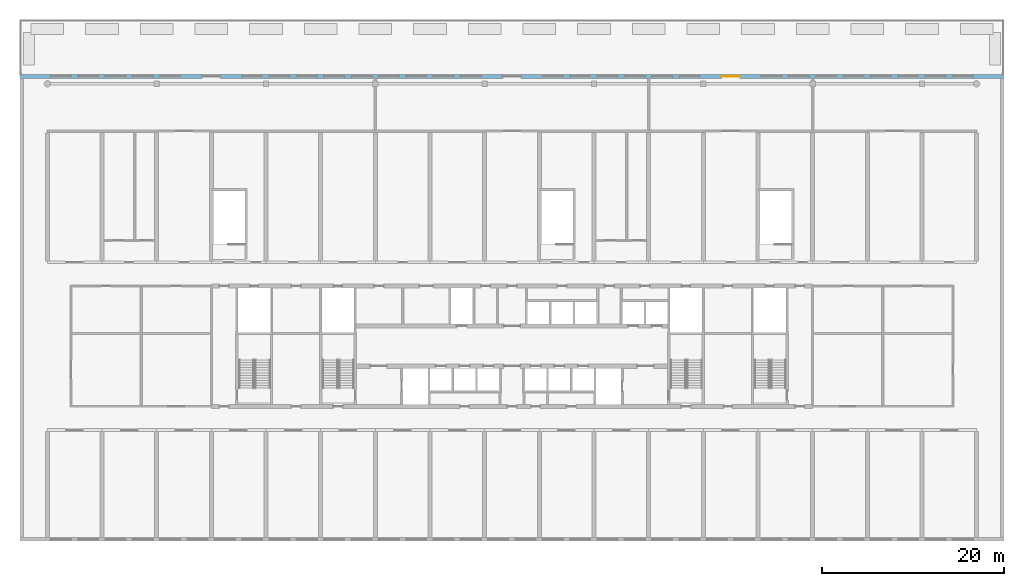
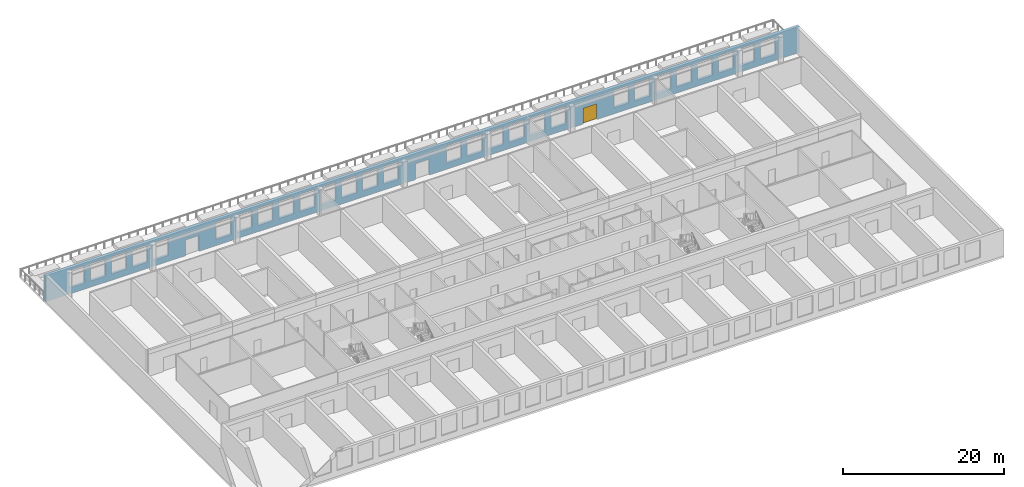
# One storey, part 9 of 15: 1 door, 31 openings, plus 1 element that does not belong to this part.
"""IFC4 building model written with IfcOpenShell, lengths in metres."""

from ifc_helpers import new_model, si_unit, direction, frame, frame_2d, origin, place, context, subcontext, project, spatial, rectangle, extrude, material, layer, layer_set, type_object, element, fill, save


model = new_model("IFC4")

# Units and contexts
model_context = context("Model", 3, precision=1e-05, world=origin(), true_north=direction((0.0, 1.0)))
body_context = subcontext(model_context, "Body", "Model", "MODEL_VIEW")
ifc_project = project(units=[si_unit("LENGTHUNIT", "METRE"), si_unit("AREAUNIT", "SQUARE_METRE"), si_unit("VOLUMEUNIT", "CUBIC_METRE"), si_unit("PLANEANGLEUNIT", "RADIAN"), si_unit("MASSUNIT", "GRAM", prefix="KILO")], contexts=[model_context])

# Site, building, storey
site_placement = place(None, origin())
site = spatial("IfcSite", under=ifc_project, at=site_placement, CompositionType="ELEMENT")
building_placement = place(site_placement, origin())
building = spatial("IfcBuilding", under=site, at=building_placement, Name="Poui Terraces", CompositionType="ELEMENT")
storey_placement = place(building_placement, frame((0.0, 0.0, 19.199951171875)))
storey = spatial("IfcBuildingStorey", under=building, at=storey_placement, Name="L04", CompositionType="ELEMENT", Elevation=19.199951171875)

# Wall, openings, door
ifc_material_1 = material(Name="Precast concrete 40 MPa", Category="concrete")
ifc_layer = layer(ifc_material_1, 0.39990234375)
ifc_layer_set = layer_set([ifc_layer], Name="Precast concrete 40 MPa")
wall_type = type_object("IfcWallType", Name="EXTERNAL WALL 400", PredefinedType="STANDARD", material=ifc_layer_set)
wall_placement = place(storey_placement, frame((105.0, 50.800048828125, 0.0), z_axis=(0.0, 0.0, 1.0), x_axis=(-1.0, 0.0, 0.0)))
wall = element("IfcWall", 1, at=wall_placement, inside=storey, type_object=wall_type, Name="EXTERNAL WALL N", PredefinedType="STANDARD", context=body_context, shape_type="SweptSolid", body=[
    extrude(rectangle(XDim=108.0, YDim=0.39990234375, at=frame_2d((54.0, 0.0))), origin(), (0.0, 0.0, 1.0), 3.949951171875),
])
opening_1_placement = place(wall_placement, frame((102.39990234375, 0.0, 0.89990234375)))
element("IfcOpeningElement", 2, at=opening_1_placement, cuts=wall, Name="Opening W4", PredefinedType="OPENING", context=body_context, shape_type="SweptSolid", body=[
    extrude(rectangle(XDim=2.199951171875, YDim=2.699951171875, at=frame_2d((1.10009765625, 1.35009765625))), frame((0.0, 0.2099609375, 0.0), z_axis=(0.0, -1.0, 0.0), x_axis=(1.0, 0.0, 0.0)), (0.0, 0.0, 1.0), 0.419921875),
])
opening_2_placement = place(wall_placement, frame((99.39990234375, 0.0, 0.89990234375)))
element("IfcOpeningElement", 3, at=opening_2_placement, cuts=wall, Name="Opening W4", PredefinedType="OPENING", context=body_context, shape_type="SweptSolid", body=[
    extrude(rectangle(XDim=2.199951171875, YDim=2.699951171875, at=frame_2d((1.10009765625, 1.35009765625))), frame((0.0, 0.2099609375, 0.0), z_axis=(0.0, -1.0, 0.0), x_axis=(1.0, 0.0, 0.0)), (0.0, 0.0, 1.0), 0.419921875),
])
opening_3_placement = place(wall_placement, frame((96.39990234375, 0.0, 0.89990234375)))
element("IfcOpeningElement", 4, at=opening_3_placement, cuts=wall, Name="Opening W4", PredefinedType="OPENING", context=body_context, shape_type="SweptSolid", body=[
    extrude(rectangle(XDim=2.199951171875, YDim=2.699951171875, at=frame_2d((1.10009765625, 1.35009765625))), frame((0.0, 0.2099609375, 0.0), z_axis=(0.0, -1.0, 0.0), x_axis=(1.0, 0.0, 0.0)), (0.0, 0.0, 1.0), 0.419921875),
])
opening_4_placement = place(wall_placement, frame((93.39990234375, 0.0, 0.89990234375)))
element("IfcOpeningElement", 5, at=opening_4_placement, cuts=wall, Name="Opening W4", PredefinedType="OPENING", context=body_context, shape_type="SweptSolid", body=[
    extrude(rectangle(XDim=2.199951171875, YDim=2.699951171875, at=frame_2d((1.10009765625, 1.35009765625))), frame((0.0, 0.2099609375, 0.0), z_axis=(0.0, -1.0, 0.0), x_axis=(1.0, 0.0, 0.0)), (0.0, 0.0, 1.0), 0.419921875),
])
opening_5_placement = place(wall_placement, frame((90.39990234375, 0.0, 0.89990234375)))
element("IfcOpeningElement", 6, at=opening_5_placement, cuts=wall, Name="Opening W4", PredefinedType="OPENING", context=body_context, shape_type="SweptSolid", body=[
    extrude(rectangle(XDim=2.199951171875, YDim=2.699951171875, at=frame_2d((1.10009765625, 1.35009765625))), frame((0.0, 0.2099609375, 0.0), z_axis=(0.0, -1.0, 0.0), x_axis=(1.0, 0.0, 0.0)), (0.0, 0.0, 1.0), 0.419921875),
])
opening_6_placement = place(wall_placement, frame((81.39990234375, 0.0, 0.89990234375)))
element("IfcOpeningElement", 7, at=opening_6_placement, cuts=wall, Name="Opening W4", PredefinedType="OPENING", context=body_context, shape_type="SweptSolid", body=[
    extrude(rectangle(XDim=2.199951171875, YDim=2.699951171875, at=frame_2d((1.10009765625, 1.35009765625))), frame((0.0, 0.2099609375, 0.0), z_axis=(0.0, -1.0, 0.0), x_axis=(1.0, 0.0, 0.0)), (0.0, 0.0, 1.0), 0.419921875),
])
opening_7_placement = place(wall_placement, frame((78.39990234375, 0.0, 0.89990234375)))
element("IfcOpeningElement", 8, at=opening_7_placement, cuts=wall, Name="Opening W4", PredefinedType="OPENING", context=body_context, shape_type="SweptSolid", body=[
    extrude(rectangle(XDim=2.199951171875, YDim=2.699951171875, at=frame_2d((1.10009765625, 1.35009765625))), frame((0.0, 0.2099609375, 0.0), z_axis=(0.0, -1.0, 0.0), x_axis=(1.0, 0.0, 0.0)), (0.0, 0.0, 1.0), 0.419921875),
])
opening_8_placement = place(wall_placement, frame((75.39990234375, 0.0, 0.89990234375)))
element("IfcOpeningElement", 9, at=opening_8_placement, cuts=wall, Name="Opening W4", PredefinedType="OPENING", context=body_context, shape_type="SweptSolid", body=[
    extrude(rectangle(XDim=2.199951171875, YDim=2.699951171875, at=frame_2d((1.10009765625, 1.35009765625))), frame((0.0, 0.2099609375, 0.0), z_axis=(0.0, -1.0, 0.0), x_axis=(1.0, 0.0, 0.0)), (0.0, 0.0, 1.0), 0.419921875),
])
opening_9_placement = place(wall_placement, frame((72.39990234375, 0.0, 0.89990234375)))
element("IfcOpeningElement", 10, at=opening_9_placement, cuts=wall, Name="Opening W4", PredefinedType="OPENING", context=body_context, shape_type="SweptSolid", body=[
    extrude(rectangle(XDim=2.199951171875, YDim=2.699951171875, at=frame_2d((1.10009765625, 1.35009765625))), frame((0.0, 0.2099609375, 0.0), z_axis=(0.0, -1.0, 0.0), x_axis=(1.0, 0.0, 0.0)), (0.0, 0.0, 1.0), 0.419921875),
])
opening_10_placement = place(wall_placement, frame((69.39990234375, 0.0, 0.89990234375)))
element("IfcOpeningElement", 11, at=opening_10_placement, cuts=wall, Name="Opening W4", PredefinedType="OPENING", context=body_context, shape_type="SweptSolid", body=[
    extrude(rectangle(XDim=2.199951171875, YDim=2.699951171875, at=frame_2d((1.10009765625, 1.35009765625))), frame((0.0, 0.2099609375, 0.0), z_axis=(0.0, -1.0, 0.0), x_axis=(1.0, 0.0, 0.0)), (0.0, 0.0, 1.0), 0.419921875),
])
opening_11_placement = place(wall_placement, frame((66.39990234375, 0.0, 0.89990234375)))
element("IfcOpeningElement", 12, at=opening_11_placement, cuts=wall, Name="Opening W4", PredefinedType="OPENING", context=body_context, shape_type="SweptSolid", body=[
    extrude(rectangle(XDim=2.199951171875, YDim=2.699951171875, at=frame_2d((1.10009765625, 1.35009765625))), frame((0.0, 0.2099609375, 0.0), z_axis=(0.0, -1.0, 0.0), x_axis=(1.0, 0.0, 0.0)), (0.0, 0.0, 1.0), 0.419921875),
])
opening_12_placement = place(wall_placement, frame((63.39990234375, 0.0, 0.89990234375)))
element("IfcOpeningElement", 13, at=opening_12_placement, cuts=wall, Name="Opening W4", PredefinedType="OPENING", context=body_context, shape_type="SweptSolid", body=[
    extrude(rectangle(XDim=2.199951171875, YDim=2.699951171875, at=frame_2d((1.10009765625, 1.35009765625))), frame((0.0, 0.2099609375, 0.0), z_axis=(0.0, -1.0, 0.0), x_axis=(1.0, 0.0, 0.0)), (0.0, 0.0, 1.0), 0.419921875),
])
opening_13_placement = place(wall_placement, frame((60.39990234375, 0.0, 0.89990234375)))
element("IfcOpeningElement", 14, at=opening_13_placement, cuts=wall, Name="Opening W4", PredefinedType="OPENING", context=body_context, shape_type="SweptSolid", body=[
    extrude(rectangle(XDim=2.199951171875, YDim=2.699951171875, at=frame_2d((1.10009765625, 1.35009765625))), frame((0.0, 0.2099609375, 0.0), z_axis=(0.0, -1.0, 0.0), x_axis=(1.0, 0.0, 0.0)), (0.0, 0.0, 1.0), 0.419921875),
])
opening_14_placement = place(wall_placement, frame((57.39990234375, 0.0, 0.89990234375)))
element("IfcOpeningElement", 15, at=opening_14_placement, cuts=wall, Name="Opening W4", PredefinedType="OPENING", context=body_context, shape_type="SweptSolid", body=[
    extrude(rectangle(XDim=2.199951171875, YDim=2.699951171875, at=frame_2d((1.10009765625, 1.35009765625))), frame((0.0, 0.2099609375, 0.0), z_axis=(0.0, -1.0, 0.0), x_axis=(1.0, 0.0, 0.0)), (0.0, 0.0, 1.0), 0.419921875),
])
opening_15_placement = place(wall_placement, frame((48.39990234375, 0.0, 0.89990234375)))
element("IfcOpeningElement", 16, at=opening_15_placement, cuts=wall, Name="Opening W4", PredefinedType="OPENING", context=body_context, shape_type="SweptSolid", body=[
    extrude(rectangle(XDim=2.199951171875, YDim=2.699951171875, at=frame_2d((1.10009765625, 1.35009765625))), frame((0.0, 0.2099609375, 0.0), z_axis=(0.0, -1.0, 0.0), x_axis=(1.0, 0.0, 0.0)), (0.0, 0.0, 1.0), 0.419921875),
])
opening_16_placement = place(wall_placement, frame((45.39990234375, 0.0, 0.89990234375)))
element("IfcOpeningElement", 17, at=opening_16_placement, cuts=wall, Name="Opening W4", PredefinedType="OPENING", context=body_context, shape_type="SweptSolid", body=[
    extrude(rectangle(XDim=2.199951171875, YDim=2.699951171875, at=frame_2d((1.10009765625, 1.35009765625))), frame((0.0, 0.2099609375, 0.0), z_axis=(0.0, -1.0, 0.0), x_axis=(1.0, 0.0, 0.0)), (0.0, 0.0, 1.0), 0.419921875),
])
opening_17_placement = place(wall_placement, frame((42.39990234375, 0.0, 0.89990234375)))
element("IfcOpeningElement", 18, at=opening_17_placement, cuts=wall, Name="Opening W4", PredefinedType="OPENING", context=body_context, shape_type="SweptSolid", body=[
    extrude(rectangle(XDim=2.199951171875, YDim=2.699951171875, at=frame_2d((1.10009765625, 1.35009765625))), frame((0.0, 0.2099609375, 0.0), z_axis=(0.0, -1.0, 0.0), x_axis=(1.0, 0.0, 0.0)), (0.0, 0.0, 1.0), 0.419921875),
])
opening_18_placement = place(wall_placement, frame((39.39990234375, 0.0, 0.89990234375)))
element("IfcOpeningElement", 19, at=opening_18_placement, cuts=wall, Name="Opening W4", PredefinedType="OPENING", context=body_context, shape_type="SweptSolid", body=[
    extrude(rectangle(XDim=2.199951171875, YDim=2.699951171875, at=frame_2d((1.10009765625, 1.35009765625))), frame((0.0, 0.2099609375, 0.0), z_axis=(0.0, -1.0, 0.0), x_axis=(1.0, 0.0, 0.0)), (0.0, 0.0, 1.0), 0.419921875),
])
opening_19_placement = place(wall_placement, frame((36.39990234375, 0.0, 0.89990234375)))
element("IfcOpeningElement", 20, at=opening_19_placement, cuts=wall, Name="Opening W4", PredefinedType="OPENING", context=body_context, shape_type="SweptSolid", body=[
    extrude(rectangle(XDim=2.199951171875, YDim=2.699951171875, at=frame_2d((1.10009765625, 1.35009765625))), frame((0.0, 0.2099609375, 0.0), z_axis=(0.0, -1.0, 0.0), x_axis=(1.0, 0.0, 0.0)), (0.0, 0.0, 1.0), 0.419921875),
])
opening_20_placement = place(wall_placement, frame((33.39990234375, 0.0, 0.89990234375)))
element("IfcOpeningElement", 21, at=opening_20_placement, cuts=wall, Name="Opening W4", PredefinedType="OPENING", context=body_context, shape_type="SweptSolid", body=[
    extrude(rectangle(XDim=2.199951171875, YDim=2.699951171875, at=frame_2d((1.10009765625, 1.35009765625))), frame((0.0, 0.2099609375, 0.0), z_axis=(0.0, -1.0, 0.0), x_axis=(1.0, 0.0, 0.0)), (0.0, 0.0, 1.0), 0.419921875),
])
opening_21_placement = place(wall_placement, frame((24.39990234375, 0.0, 0.89990234375)))
element("IfcOpeningElement", 22, at=opening_21_placement, cuts=wall, Name="Opening W4", PredefinedType="OPENING", context=body_context, shape_type="SweptSolid", body=[
    extrude(rectangle(XDim=2.199951171875, YDim=2.699951171875, at=frame_2d((1.10009765625, 1.35009765625))), frame((0.0, 0.2099609375, 0.0), z_axis=(0.0, -1.0, 0.0), x_axis=(1.0, 0.0, 0.0)), (0.0, 0.0, 1.0), 0.419921875),
])
opening_22_placement = place(wall_placement, frame((21.39990234375, 0.0, 0.89990234375)))
element("IfcOpeningElement", 23, at=opening_22_placement, cuts=wall, Name="Opening W4", PredefinedType="OPENING", context=body_context, shape_type="SweptSolid", body=[
    extrude(rectangle(XDim=2.199951171875, YDim=2.699951171875, at=frame_2d((1.10009765625, 1.35009765625))), frame((0.0, 0.2099609375, 0.0), z_axis=(0.0, -1.0, 0.0), x_axis=(1.0, 0.0, 0.0)), (0.0, 0.0, 1.0), 0.419921875),
])
opening_23_placement = place(wall_placement, frame((18.39990234375, 0.0, 0.89990234375)))
element("IfcOpeningElement", 24, at=opening_23_placement, cuts=wall, Name="Opening W4", PredefinedType="OPENING", context=body_context, shape_type="SweptSolid", body=[
    extrude(rectangle(XDim=2.199951171875, YDim=2.699951171875, at=frame_2d((1.10009765625, 1.35009765625))), frame((0.0, 0.2099609375, 0.0), z_axis=(0.0, -1.0, 0.0), x_axis=(1.0, 0.0, 0.0)), (0.0, 0.0, 1.0), 0.419921875),
])
opening_24_placement = place(wall_placement, frame((15.39990234375, 0.0, 0.89990234375)))
element("IfcOpeningElement", 25, at=opening_24_placement, cuts=wall, Name="Opening W4", PredefinedType="OPENING", context=body_context, shape_type="SweptSolid", body=[
    extrude(rectangle(XDim=2.199951171875, YDim=2.699951171875, at=frame_2d((1.10009765625, 1.35009765625))), frame((0.0, 0.2099609375, 0.0), z_axis=(0.0, -1.0, 0.0), x_axis=(1.0, 0.0, 0.0)), (0.0, 0.0, 1.0), 0.419921875),
])
opening_25_placement = place(wall_placement, frame((12.39990234375, 0.0, 0.89990234375)))
element("IfcOpeningElement", 26, at=opening_25_placement, cuts=wall, Name="Opening W4", PredefinedType="OPENING", context=body_context, shape_type="SweptSolid", body=[
    extrude(rectangle(XDim=2.199951171875, YDim=2.699951171875, at=frame_2d((1.10009765625, 1.35009765625))), frame((0.0, 0.2099609375, 0.0), z_axis=(0.0, -1.0, 0.0), x_axis=(1.0, 0.0, 0.0)), (0.0, 0.0, 1.0), 0.419921875),
])
opening_26_placement = place(wall_placement, frame((9.39990234375, 0.0, 0.89990234375)))
element("IfcOpeningElement", 27, at=opening_26_placement, cuts=wall, Name="Opening W4", PredefinedType="OPENING", context=body_context, shape_type="SweptSolid", body=[
    extrude(rectangle(XDim=2.199951171875, YDim=2.699951171875, at=frame_2d((1.10009765625, 1.35009765625))), frame((0.0, 0.2099609375, 0.0), z_axis=(0.0, -1.0, 0.0), x_axis=(1.0, 0.0, 0.0)), (0.0, 0.0, 1.0), 0.419921875),
])
opening_27_placement = place(wall_placement, frame((6.39990234375, 0.0, 0.89990234375)))
element("IfcOpeningElement", 28, at=opening_27_placement, cuts=wall, Name="Opening W4", PredefinedType="OPENING", context=body_context, shape_type="SweptSolid", body=[
    extrude(rectangle(XDim=2.199951171875, YDim=2.699951171875, at=frame_2d((1.10009765625, 1.35009765625))), frame((0.0, 0.2099609375, 0.0), z_axis=(0.0, -1.0, 0.0), x_axis=(1.0, 0.0, 0.0)), (0.0, 0.0, 1.0), 0.419921875),
])
opening_28_placement = place(wall_placement, frame((3.39990234375, 0.0, 0.89990234375)))
element("IfcOpeningElement", 29, at=opening_28_placement, cuts=wall, Name="Opening W4", PredefinedType="OPENING", context=body_context, shape_type="SweptSolid", body=[
    extrude(rectangle(XDim=2.199951171875, YDim=2.699951171875, at=frame_2d((1.10009765625, 1.35009765625))), frame((0.0, 0.2099609375, 0.0), z_axis=(0.0, -1.0, 0.0), x_axis=(1.0, 0.0, 0.0)), (0.0, 0.0, 1.0), 0.419921875),
])
opening_29_placement = place(wall_placement, frame((86.0, 0.0, 0.0)))
element("IfcOpeningElement", 30, at=opening_29_placement, cuts=wall, Name="Opening XDD200", PredefinedType="OPENING", context=body_context, shape_type="SweptSolid", body=[
    extrude(rectangle(XDim=2.0, YDim=2.39990234375, at=frame_2d((1.0, 1.199951171875))), frame((0.0, 0.2099609375, 0.0), z_axis=(0.0, -1.0, 0.0), x_axis=(1.0, 0.0, 0.0)), (0.0, 0.0, 1.0), 0.419921875),
])
opening_30_placement = place(wall_placement, frame((53.0, 0.0, 0.0)))
element("IfcOpeningElement", 31, at=opening_30_placement, cuts=wall, Name="Opening XDD200", PredefinedType="OPENING", context=body_context, shape_type="SweptSolid", body=[
    extrude(rectangle(XDim=2.0, YDim=2.39990234375, at=frame_2d((1.0, 1.199951171875))), frame((0.0, 0.2099609375, 0.0), z_axis=(0.0, -1.0, 0.0), x_axis=(1.0, 0.0, 0.0)), (0.0, 0.0, 1.0), 0.419921875),
])
opening_31_placement = place(wall_placement, frame((29.0, 0.0, 0.0)))
opening_31 = element("IfcOpeningElement", 32, at=opening_31_placement, cuts=wall, Name="Opening XDD200", PredefinedType="OPENING", context=body_context, shape_type="SweptSolid", body=[
    extrude(rectangle(XDim=2.0, YDim=2.39990234375, at=frame_2d((1.0, 1.199951171875))), frame((0.0, 0.2099609375, 0.0), z_axis=(0.0, -1.0, 0.0), x_axis=(1.0, 0.0, 0.0)), (0.0, 0.0, 1.0), 0.419921875),
])
ifc_material_2 = material(Name="Aluminium glazed door", Category="aluminium")
door_type = type_object("IfcDoorType", Name="EXTERNAL DOUBLE DOOR 2000 X 2400", OperationType="DOUBLE_DOOR_SINGLE_SWING", PredefinedType="DOOR", material=ifc_material_2)
door_placement = place(opening_31_placement, frame((2.0, 0.0, 0.0), z_axis=(0.0, 0.0, 1.0), x_axis=(-1.0, 0.0, 0.0)))
door = element("IfcDoor", 33, at=door_placement, inside=storey, type_object=door_type, Name="EXTERNAL DOUBLE DOOR 081", OperationType="DOUBLE_DOOR_SINGLE_SWING", OverallHeight=2.39990234375, OverallWidth=2.0, PredefinedType="DOOR", context=body_context, shape_type="SweptSolid", body=[
    extrude(rectangle(XDim=2.0, YDim=2.39990234375, at=frame_2d((1.0, 1.199951171875))), frame((0.0, 0.02490234375, 0.0), z_axis=(0.0, -1.0, 0.0), x_axis=(1.0, 0.0, 0.0)), (0.0, 0.0, 1.0), 0.050048828125),
])
fill(opening_31, door)

save(model, "model.ifc")
